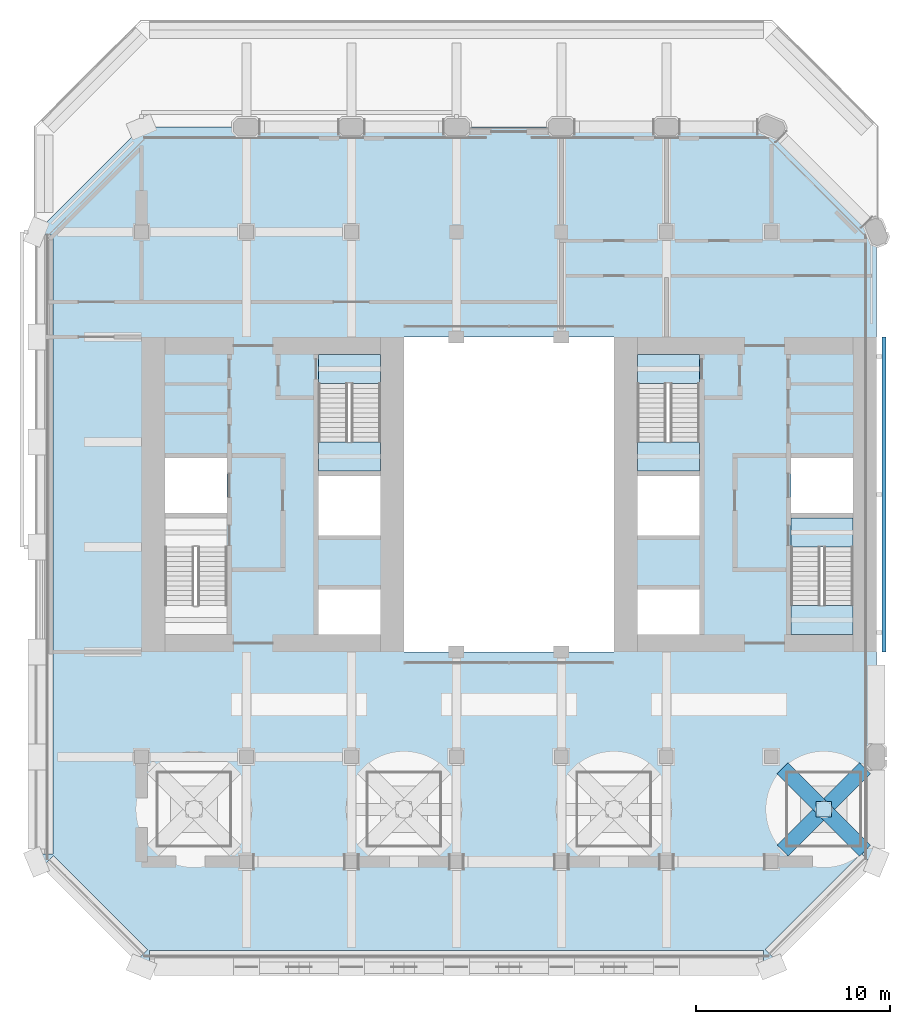
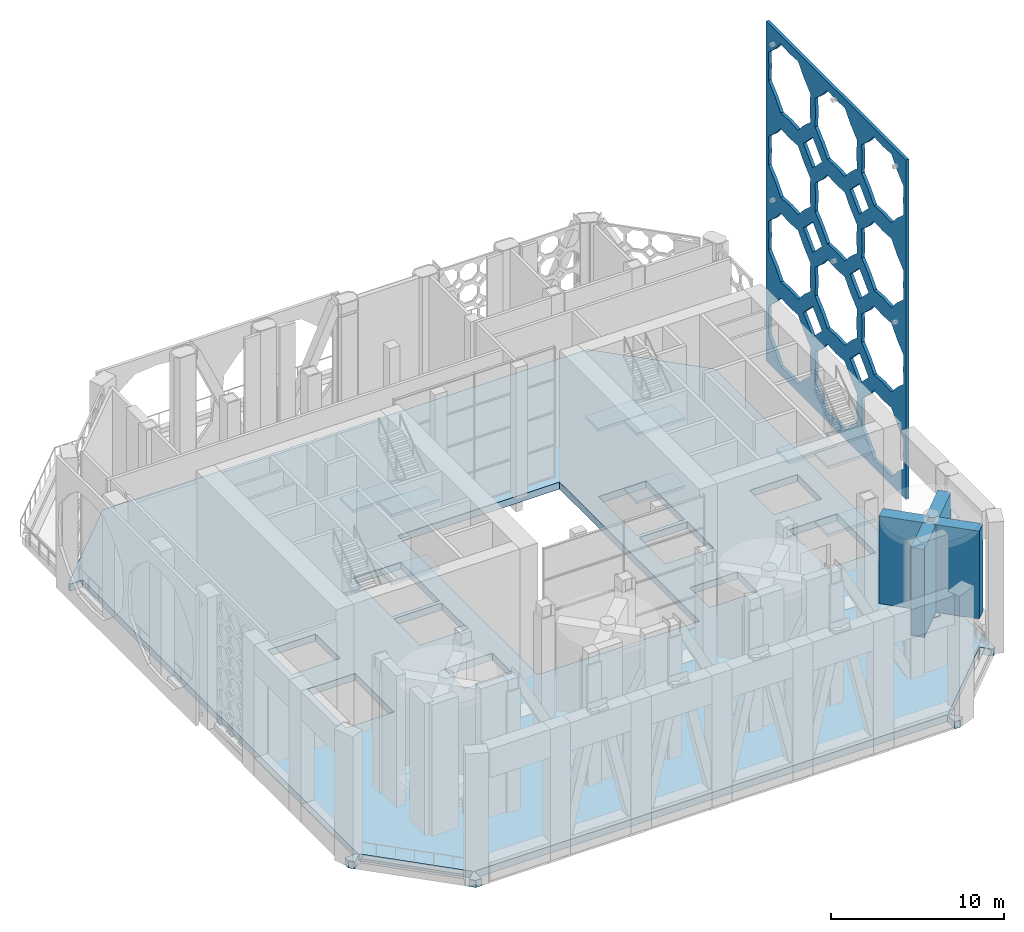
# One storey, part 6 of 28: 10 slabs, 6 plates, 3 elements without a shape of their own.
"""IFC4 building model written with IfcOpenShell, lengths in metres."""

from ifc_helpers import new_model, si_unit, direction, frame, origin, origin_2d, place, context, subcontext, project, spatial, polyline, rectangle, outline, extrude, material, layer, layer_set, type_object, element, aggregate, save


model = new_model("IFC4")

# Units and contexts
model_context = context("Model", 3, precision=1e-05, world=origin(), true_north=direction((0.0, 1.0)))
body_context = subcontext(model_context, "Body", "Model", "MODEL_VIEW")
ifc_project = project(units=[si_unit("LENGTHUNIT", "METRE"), si_unit("AREAUNIT", "SQUARE_METRE"), si_unit("VOLUMEUNIT", "CUBIC_METRE"), si_unit("PLANEANGLEUNIT", "RADIAN"), si_unit("MASSUNIT", "GRAM", prefix="KILO")], contexts=[model_context])

# Site, building, storey
site_placement = place(None, origin())
site = spatial("IfcSite", under=ifc_project, at=site_placement, CompositionType="ELEMENT")
building_placement = place(site_placement, origin())
building = spatial("IfcBuilding", under=site, at=building_placement, Name="Tabaq Tower and Sports Hall", CompositionType="ELEMENT")
storey_placement = place(building_placement, frame((0.0, 0.0, 233.5)))
storey = spatial("IfcBuildingStorey", under=building, at=storey_placement, Name="L59", CompositionType="ELEMENT", Elevation=233.5)

# Stair, slabs
ifc_material_1 = material(Name="Concrete C40/50", Category="concrete")
stair_type = type_object("IfcStairType", Name="Exit stair", PredefinedType="HALF_TURN_STAIR", material=ifc_material_1)
stair_1_placement = place(storey_placement, origin())
stair_1 = element("IfcStair", 1, at=stair_1_placement, inside=storey, type_object=stair_type, Name="L59 Exit stair ST2", PredefinedType="HALF_TURN_STAIR")
ifc_material_2 = material(Name="Concrete C40/50", Category="concrete")
ifc_layer_1 = layer(ifc_material_2, 0.199951171875)
ifc_layer_set_1 = layer_set([ifc_layer_1], Name="Exit stair landing")
slab_type_1 = type_object("IfcSlabType", Name="Exit stair landing", PredefinedType="LANDING", material=ifc_layer_set_1)
slab_1_placement = place(storey_placement, frame((0.0, 0.0, 2.199951171875)))
slab_1 = element("IfcSlab", 2, at=slab_1_placement, type_object=slab_type_1, Name="ST2 landing 1", PredefinedType="LANDING", context=body_context, shape_type="SweptSolid", body=[
    extrude(outline(polyline([(14.5, 27.0), (14.5, 25.5), (17.699951171875, 25.5), (17.699951171875, 27.0), (14.5, 27.0)])), origin(), (0.0, 0.0, 1.0), 0.199951171875),
])
slab_2_placement = place(storey_placement, frame((0.0, 0.0, 4.60009765625)))
slab_2 = element("IfcSlab", 3, at=slab_2_placement, type_object=slab_type_1, Name="ST2 landing 2", PredefinedType="LANDING", context=body_context, shape_type="SweptSolid", body=[
    extrude(outline(polyline([(14.5, 31.5), (14.5, 30.0), (17.699951171875, 30.0), (17.699951171875, 31.5), (14.5, 31.5)])), origin(), (0.0, 0.0, 1.0), 0.199951171875),
])
slab_3_placement = place(storey_placement, frame((0.0, 0.0, 7.0)))
slab_3 = element("IfcSlab", 4, at=slab_3_placement, type_object=slab_type_1, Name="ST2 landing 3", PredefinedType="LANDING", context=body_context, shape_type="SweptSolid", body=[
    extrude(outline(polyline([(14.5, 27.0), (14.5, 25.5), (17.699951171875, 25.5), (17.699951171875, 27.0), (14.5, 27.0)])), origin(), (0.0, 0.0, 1.0), 0.199951171875),
])
aggregate(stair_1, [slab_1, slab_2, slab_3])

stair_2_placement = place(storey_placement, origin())
stair_2 = element("IfcStair", 5, at=stair_2_placement, inside=storey, type_object=stair_type, Name="L59 Exit stair ST3", PredefinedType="HALF_TURN_STAIR")
slab_4_placement = place(storey_placement, frame((0.0, 0.0, 2.199951171875)))
slab_4 = element("IfcSlab", 6, at=slab_4_placement, type_object=slab_type_1, Name="ST3 landing 1", PredefinedType="LANDING", context=body_context, shape_type="SweptSolid", body=[
    extrude(outline(polyline([(38.800048828125, 18.60009765625), (38.800048828125, 17.10009765625), (42.0, 17.10009765625), (42.0, 18.60009765625), (38.800048828125, 18.60009765625)])), origin(), (0.0, 0.0, 1.0), 0.199951171875),
])
slab_5_placement = place(storey_placement, frame((0.0, 0.0, 4.60009765625)))
slab_5 = element("IfcSlab", 7, at=slab_5_placement, type_object=slab_type_1, Name="ST3 landing 2", PredefinedType="LANDING", context=body_context, shape_type="SweptSolid", body=[
    extrude(outline(polyline([(38.800048828125, 23.10009765625), (38.800048828125, 21.60009765625), (42.0, 21.60009765625), (42.0, 23.10009765625), (38.800048828125, 23.10009765625)])), origin(), (0.0, 0.0, 1.0), 0.199951171875),
])
slab_6_placement = place(storey_placement, frame((0.0, 0.0, 7.0)))
slab_6 = element("IfcSlab", 8, at=slab_6_placement, type_object=slab_type_1, Name="ST3 landing 3", PredefinedType="LANDING", context=body_context, shape_type="SweptSolid", body=[
    extrude(outline(polyline([(38.800048828125, 18.60009765625), (38.800048828125, 17.10009765625), (42.0, 17.10009765625), (42.0, 18.60009765625), (38.800048828125, 18.60009765625)])), origin(), (0.0, 0.0, 1.0), 0.199951171875),
])
aggregate(stair_2, [slab_4, slab_5, slab_6])

stair_3_placement = place(storey_placement, origin())
stair_3 = element("IfcStair", 9, at=stair_3_placement, inside=storey, type_object=stair_type, Name="L59 Exit stair ST4", PredefinedType="HALF_TURN_STAIR")
slab_7_placement = place(storey_placement, frame((0.0, 0.0, 2.199951171875)))
slab_7 = element("IfcSlab", 10, at=slab_7_placement, type_object=slab_type_1, Name="ST4 landing 1", PredefinedType="LANDING", context=body_context, shape_type="SweptSolid", body=[
    extrude(outline(polyline([(30.89990234375, 27.0), (30.89990234375, 25.5), (34.10009765625, 25.5), (34.10009765625, 27.0), (30.89990234375, 27.0)])), origin(), (0.0, 0.0, 1.0), 0.199951171875),
])
slab_8_placement = place(storey_placement, frame((0.0, 0.0, 4.60009765625)))
slab_8 = element("IfcSlab", 11, at=slab_8_placement, type_object=slab_type_1, Name="ST4 landing 2", PredefinedType="LANDING", context=body_context, shape_type="SweptSolid", body=[
    extrude(outline(polyline([(30.89990234375, 31.5), (30.89990234375, 30.0), (34.10009765625, 30.0), (34.10009765625, 31.5), (30.89990234375, 31.5)])), origin(), (0.0, 0.0, 1.0), 0.199951171875),
])
slab_9_placement = place(storey_placement, frame((0.0, 0.0, 7.0)))
slab_9 = element("IfcSlab", 12, at=slab_9_placement, type_object=slab_type_1, Name="ST4 landing 3", PredefinedType="LANDING", context=body_context, shape_type="SweptSolid", body=[
    extrude(outline(polyline([(30.89990234375, 27.0), (30.89990234375, 25.5), (34.10009765625, 25.5), (34.10009765625, 27.0), (30.89990234375, 27.0)])), origin(), (0.0, 0.0, 1.0), 0.199951171875),
])
aggregate(stair_3, [slab_7, slab_8, slab_9])

# Slab
ifc_material_3 = material(Name="Concrete C40/50", Category="concrete")
ifc_layer_2 = layer(ifc_material_3, 0.5)
ifc_layer_set_2 = layer_set([ifc_layer_2], Name="PT FLOOR SLAB 500 C40/50")
slab_type_2 = type_object("IfcSlabType", Name="PT FLOOR SLAB 500 C40/50", PredefinedType="FLOOR", material=ifc_layer_set_2)
slab_10_placement = place(storey_placement, frame((0.0, 0.0, -0.5)))
element("IfcSlab", 13, at=slab_10_placement, inside=storey, type_object=slab_type_2, Name="Floor Slab L59", PredefinedType="FLOOR", context=body_context, shape_type="SweptSolid", body=[
    extrude(outline(polyline([(0.0, 5.802001953125), (0.0, 5.39990234375), (0.284423828125, 5.11572265625), (0.814697265625, 5.64599609375), (0.88525390625, 5.716796875), (5.716796875, 0.88525390625), (5.64599609375, 0.814697265625), (5.11572265625, 0.284423828125), (5.39990234375, 0.0), (5.802001953125, 0.0), (5.802001953125, 0.75), (5.802001953125, 0.85009765625), (37.39794921875, 0.85009765625), (37.39794921875, 0.75), (37.39794921875, 0.0), (37.800048828125, 0.0), (38.084228515625, 0.284423828125), (37.483154296875, 0.88525390625), (42.422119140625, 5.82421875), (42.492919921875, 5.753662109375), (43.023193359375, 5.22314453125), (43.199951171875, 5.39990234375), (43.199951171875, 37.800048828125), (37.800048828125, 43.199951171875), (5.39990234375, 43.199951171875), (0.0, 37.800048828125), (0.0, 37.63818359375), (0.75, 37.63818359375), (0.85009765625, 37.63818359375), (0.85009765625, 5.802001953125), (0.75, 5.802001953125), (0.0, 5.802001953125)]), holes=[polyline([(14.5, 19.39990234375), (17.699951171875, 19.39990234375), (17.699951171875, 17.10009765625), (14.5, 17.10009765625), (14.5, 19.39990234375)]), polyline([(6.60009765625, 21.599365234375), (9.800048828125, 21.599365234375), (9.800048828125, 17.10009765625), (6.60009765625, 17.10009765625), (6.60009765625, 21.599365234375)]), polyline([(14.5, 25.25), (17.699951171875, 25.25), (17.699951171875, 22.199951171875), (14.5, 22.199951171875), (14.5, 25.25)]), polyline([(18.89990234375, 32.39990234375), (29.699951171875, 32.39990234375), (29.699951171875, 16.199951171875), (18.89990234375, 16.199951171875), (18.89990234375, 32.39990234375)]), polyline([(9.800048828125, 26.175048828125), (9.800048828125, 23.35009765625), (6.60009765625, 23.35009765625), (6.60009765625, 26.175048828125), (9.800048828125, 26.175048828125)]), polyline([(14.5, 29.99951171875), (17.699951171875, 29.99951171875), (17.699951171875, 25.5), (14.5, 25.5), (14.5, 29.99951171875)]), polyline([(34.10009765625, 19.39990234375), (34.10009765625, 17.10009765625), (30.89990234375, 17.10009765625), (30.89990234375, 19.39990234375), (34.10009765625, 19.39990234375)]), polyline([(42.0, 21.599365234375), (42.0, 17.10009765625), (38.800048828125, 17.10009765625), (38.800048828125, 21.599365234375), (42.0, 21.599365234375)]), polyline([(30.89990234375, 25.25), (34.10009765625, 25.25), (34.10009765625, 22.199951171875), (30.89990234375, 22.199951171875), (30.89990234375, 25.25)]), polyline([(42.0, 26.175048828125), (42.0, 23.35009765625), (38.800048828125, 23.35009765625), (38.800048828125, 26.175048828125), (42.0, 26.175048828125)]), polyline([(34.10009765625, 29.99951171875), (34.10009765625, 25.5), (30.89990234375, 25.5), (30.89990234375, 29.99951171875), (34.10009765625, 29.99951171875)])]), origin(), (0.0, 0.0, 1.0), 0.5),
])

# Plates
ifc_material_4 = material(Name="Aluminium alloy 6063-T6 blade", Category="aluminium")
ifc_layer_3 = layer(ifc_material_4, 0.300048828125)
ifc_layer_set_3 = layer_set([ifc_layer_3], Name="Rotor blade plate 300")
plate_type_1 = type_object("IfcPlateType", Name="Rotor blade plate 300", PredefinedType="USERDEFINED", material=ifc_layer_set_3)
for number, where, z_axis, x_axis, name in (
    (14, (41.63134765625, 9.2314453125, 2.08984375), (0.0, 0.0, 1.0), (0.707106781187, 0.707106781187, 0.0), "Rotor blade 4.1"),
    (15, (39.36865234375, 9.2314453125, 2.08984375), (0.0, 0.0, 1.0), (-0.707106781187, 0.707106781187, 0.0), "Rotor blade 4.2"),
    (16, (39.36865234375, 6.96875, 2.08984375), (0.0, 0.0, 1.0), (-0.707106781187, -0.707106781187, 0.0), "Rotor blade 4.3"),
    (17, (41.63134765625, 6.96875, 2.08984375), (0.0, 0.0, 1.0), (0.707106781187, -0.707106781187, 0.0), "Rotor blade 4.4"),
):
    element("IfcPlate", number, at=place(storey_placement, frame(where, z_axis=z_axis, x_axis=x_axis)), inside=storey, type_object=plate_type_1, Name=name, ObjectType="ROTOR BLADE", PredefinedType="USERDEFINED", context=body_context, shape_type="SweptSolid", body=[
        extrude(rectangle(XDim=2.800048828125, YDim=0.800048828125, at=origin_2d()), origin(), (0.0, 0.0, 1.0), 6.199951171875),
    ])
ifc_material_5 = material(Name="Steel S355", Category="steel")
ifc_layer_4 = layer(ifc_material_5, 0.0400390625)
ifc_layer_set_4 = layer_set([ifc_layer_4], Name="STEEL BASE PLATE S355")
plate_type_2 = type_object("IfcPlateType", Name="STEEL BASE PLATE S355", PredefinedType="USERDEFINED", material=ifc_layer_set_4)
plate_1_placement = place(storey_placement, frame((40.5, 8.10009765625, 1.60009765625), z_axis=(0.0, 0.0, 1.0), x_axis=(1.0, 0.0, 0.0)))
element("IfcPlate", 18, at=plate_1_placement, inside=storey, type_object=plate_type_2, Name="Wind Turbine 4 Mast Base Plate", ObjectType="BASE PLATE", PredefinedType="USERDEFINED", context=body_context, shape_type="SweptSolid", body=[
    extrude(rectangle(XDim=0.800048828125, YDim=0.800048828125, at=origin_2d()), origin(), (0.0, 0.0, 1.0), 0.0400390625),
])
ifc_material_6 = material(Name="White precast concrete C60/75 pierced screen", Category="concrete")
ifc_layer_5 = layer(ifc_material_6, 0.199951171875)
ifc_layer_set_5 = layer_set([ifc_layer_5], Name="White precast concrete C60/75 girih screen 200")
plate_type_3 = type_object("IfcPlateType", Name="White precast concrete C60/75 girih screen 200", PredefinedType="USERDEFINED", material=ifc_layer_set_5)
plate_2_placement = place(storey_placement, frame((43.60009765625, 16.199951171875, 3.75), z_axis=(0.0, 0.0, 1.0), x_axis=(0.0, 1.0, 0.0)))
element("IfcPlate", 19, at=plate_2_placement, inside=storey, type_object=plate_type_3, Name="Girih screen S2 E", ObjectType="SCREEN", PredefinedType="USERDEFINED", context=body_context, shape_type="SweptSolid", body=[
    extrude(outline(polyline([(0.0, 0.0), (16.199951171875, 0.0), (16.199951171875, 24.0), (0.0, 24.0), (0.0, 0.0)]), holes=[polyline([(5.134521484375, 4.0458984375), (4.376953125, 4.714599609375), (3.70849609375, 5.47216796875), (2.699951171875, 5.4091796875), (1.691650390625, 5.47216796875), (1.02294921875, 4.714599609375), (0.265380859375, 4.0458984375), (0.328369140625, 3.03759765625), (0.265380859375, 2.029052734375), (1.02294921875, 1.3603515625), (1.691650390625, 0.602783203125), (2.699951171875, 0.665771484375), (3.70849609375, 0.602783203125), (4.376953125, 1.3603515625), (5.134521484375, 2.029052734375), (5.07177734375, 3.03759765625), (5.134521484375, 4.0458984375)]), polyline([(5.134521484375, 10.02099609375), (4.376953125, 10.689453125), (3.70849609375, 11.447021484375), (2.699951171875, 11.38427734375), (1.691650390625, 11.447021484375), (1.02294921875, 10.689453125), (0.265380859375, 10.02099609375), (0.328369140625, 9.012451171875), (0.265380859375, 8.004150390625), (1.02294921875, 7.33544921875), (1.691650390625, 6.577880859375), (2.699951171875, 6.640869140625), (3.70849609375, 6.577880859375), (4.376953125, 7.33544921875), (5.134521484375, 8.004150390625), (5.07177734375, 9.012451171875), (5.134521484375, 10.02099609375)]), polyline([(5.134521484375, 15.995849609375), (4.376953125, 16.66455078125), (3.70849609375, 17.422119140625), (2.699951171875, 17.359130859375), (1.691650390625, 17.422119140625), (1.02294921875, 16.66455078125), (0.265380859375, 15.995849609375), (0.328369140625, 14.987548828125), (0.265380859375, 13.97900390625), (1.02294921875, 13.310546875), (1.691650390625, 12.552978515625), (2.699951171875, 12.61572265625), (3.70849609375, 12.552978515625), (4.376953125, 13.310546875), (5.134521484375, 13.97900390625), (5.07177734375, 14.987548828125), (5.134521484375, 15.995849609375)]), polyline([(5.134521484375, 21.970947265625), (4.376953125, 22.6396484375), (3.70849609375, 23.397216796875), (2.699951171875, 23.334228515625), (1.691650390625, 23.397216796875), (1.02294921875, 22.6396484375), (0.265380859375, 21.970947265625), (0.328369140625, 20.96240234375), (0.265380859375, 19.9541015625), (1.02294921875, 19.285400390625), (1.691650390625, 18.52783203125), (2.699951171875, 18.5908203125), (3.70849609375, 18.52783203125), (4.376953125, 19.285400390625), (5.134521484375, 19.9541015625), (5.07177734375, 20.96240234375), (5.134521484375, 21.970947265625)]), polyline([(10.53466796875, 4.0458984375), (9.777099609375, 4.714599609375), (9.1083984375, 5.47216796875), (8.10009765625, 5.4091796875), (7.091552734375, 5.47216796875), (6.4228515625, 4.714599609375), (5.665283203125, 4.0458984375), (5.728271484375, 3.03759765625), (5.665283203125, 2.029052734375), (6.4228515625, 1.3603515625), (7.091552734375, 0.602783203125), (8.10009765625, 0.665771484375), (9.1083984375, 0.602783203125), (9.777099609375, 1.3603515625), (10.53466796875, 2.029052734375), (10.4716796875, 3.03759765625), (10.53466796875, 4.0458984375)]), polyline([(10.53466796875, 10.02099609375), (9.777099609375, 10.689453125), (9.1083984375, 11.447021484375), (8.10009765625, 11.38427734375), (7.091552734375, 11.447021484375), (6.4228515625, 10.689453125), (5.665283203125, 10.02099609375), (5.728271484375, 9.012451171875), (5.665283203125, 8.004150390625), (6.4228515625, 7.33544921875), (7.091552734375, 6.577880859375), (8.10009765625, 6.640869140625), (9.1083984375, 6.577880859375), (9.777099609375, 7.33544921875), (10.53466796875, 8.004150390625), (10.4716796875, 9.012451171875), (10.53466796875, 10.02099609375)]), polyline([(10.53466796875, 15.995849609375), (9.777099609375, 16.66455078125), (9.1083984375, 17.422119140625), (8.10009765625, 17.359130859375), (7.091552734375, 17.422119140625), (6.4228515625, 16.66455078125), (5.665283203125, 15.995849609375), (5.728271484375, 14.987548828125), (5.665283203125, 13.97900390625), (6.4228515625, 13.310546875), (7.091552734375, 12.552978515625), (8.10009765625, 12.61572265625), (9.1083984375, 12.552978515625), (9.777099609375, 13.310546875), (10.53466796875, 13.97900390625), (10.4716796875, 14.987548828125), (10.53466796875, 15.995849609375)]), polyline([(10.53466796875, 21.970947265625), (9.777099609375, 22.6396484375), (9.1083984375, 23.397216796875), (8.10009765625, 23.334228515625), (7.091552734375, 23.397216796875), (6.4228515625, 22.6396484375), (5.665283203125, 21.970947265625), (5.728271484375, 20.96240234375), (5.665283203125, 19.9541015625), (6.4228515625, 19.285400390625), (7.091552734375, 18.52783203125), (8.10009765625, 18.5908203125), (9.1083984375, 18.52783203125), (9.777099609375, 19.285400390625), (10.53466796875, 19.9541015625), (10.4716796875, 20.96240234375), (10.53466796875, 21.970947265625)]), polyline([(15.9345703125, 4.0458984375), (15.177001953125, 4.714599609375), (14.508544921875, 5.47216796875), (13.5, 5.4091796875), (12.491455078125, 5.47216796875), (11.822998046875, 4.714599609375), (11.0654296875, 4.0458984375), (11.12841796875, 3.03759765625), (11.0654296875, 2.029052734375), (11.822998046875, 1.3603515625), (12.491455078125, 0.602783203125), (13.5, 0.665771484375), (14.508544921875, 0.602783203125), (15.177001953125, 1.3603515625), (15.9345703125, 2.029052734375), (15.87158203125, 3.03759765625), (15.9345703125, 4.0458984375)]), polyline([(15.9345703125, 10.02099609375), (15.177001953125, 10.689453125), (14.508544921875, 11.447021484375), (13.5, 11.38427734375), (12.491455078125, 11.447021484375), (11.822998046875, 10.689453125), (11.0654296875, 10.02099609375), (11.12841796875, 9.012451171875), (11.0654296875, 8.004150390625), (11.822998046875, 7.33544921875), (12.491455078125, 6.577880859375), (13.5, 6.640869140625), (14.508544921875, 6.577880859375), (15.177001953125, 7.33544921875), (15.9345703125, 8.004150390625), (15.87158203125, 9.012451171875), (15.9345703125, 10.02099609375)]), polyline([(15.9345703125, 15.995849609375), (15.177001953125, 16.66455078125), (14.508544921875, 17.422119140625), (13.5, 17.359130859375), (12.491455078125, 17.422119140625), (11.822998046875, 16.66455078125), (11.0654296875, 15.995849609375), (11.12841796875, 14.987548828125), (11.0654296875, 13.97900390625), (11.822998046875, 13.310546875), (12.491455078125, 12.552978515625), (13.5, 12.61572265625), (14.508544921875, 12.552978515625), (15.177001953125, 13.310546875), (15.9345703125, 13.97900390625), (15.87158203125, 14.987548828125), (15.9345703125, 15.995849609375)]), polyline([(15.9345703125, 21.970947265625), (15.177001953125, 22.6396484375), (14.508544921875, 23.397216796875), (13.5, 23.334228515625), (12.491455078125, 23.397216796875), (11.822998046875, 22.6396484375), (11.0654296875, 21.970947265625), (11.12841796875, 20.96240234375), (11.0654296875, 19.9541015625), (11.822998046875, 19.285400390625), (12.491455078125, 18.52783203125), (13.5, 18.5908203125), (14.508544921875, 18.52783203125), (15.177001953125, 19.285400390625), (15.9345703125, 19.9541015625), (15.87158203125, 20.96240234375), (15.9345703125, 21.970947265625)]), polyline([(6.47998046875, 6.02490234375), (5.39990234375, 7.10498046875), (4.320068359375, 6.02490234375), (5.39990234375, 4.945068359375), (6.47998046875, 6.02490234375)]), polyline([(6.47998046875, 12.0), (5.39990234375, 13.080078125), (4.320068359375, 12.0), (5.39990234375, 10.919921875), (6.47998046875, 12.0)]), polyline([(6.47998046875, 17.97509765625), (5.39990234375, 19.054931640625), (4.320068359375, 17.97509765625), (5.39990234375, 16.89501953125), (6.47998046875, 17.97509765625)]), polyline([(11.8798828125, 6.02490234375), (10.800048828125, 7.10498046875), (9.719970703125, 6.02490234375), (10.800048828125, 4.945068359375), (11.8798828125, 6.02490234375)]), polyline([(11.8798828125, 12.0), (10.800048828125, 13.080078125), (9.719970703125, 12.0), (10.800048828125, 10.919921875), (11.8798828125, 12.0)]), polyline([(11.8798828125, 17.97509765625), (10.800048828125, 19.054931640625), (9.719970703125, 17.97509765625), (10.800048828125, 16.89501953125), (11.8798828125, 17.97509765625)])]), frame((0.0, 0.10009765625, 0.0), z_axis=(0.0, -1.0, 0.0), x_axis=(1.0, 0.0, 0.0)), (0.0, 0.0, 1.0), 0.199951171875),
])

save(model, "model.ifc")
